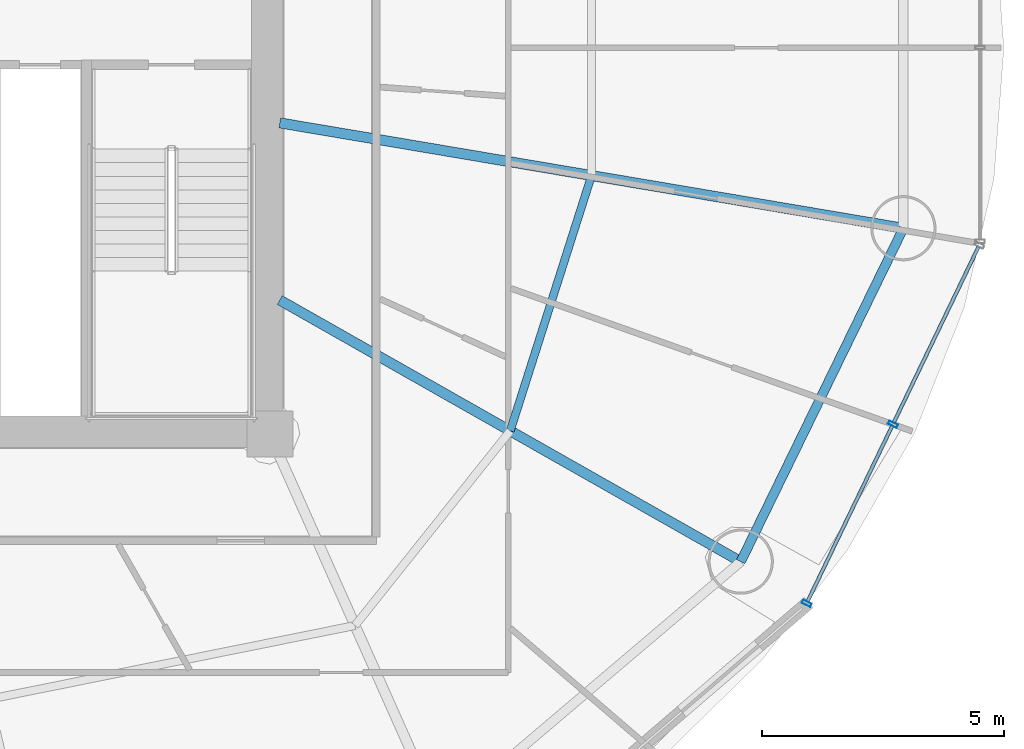
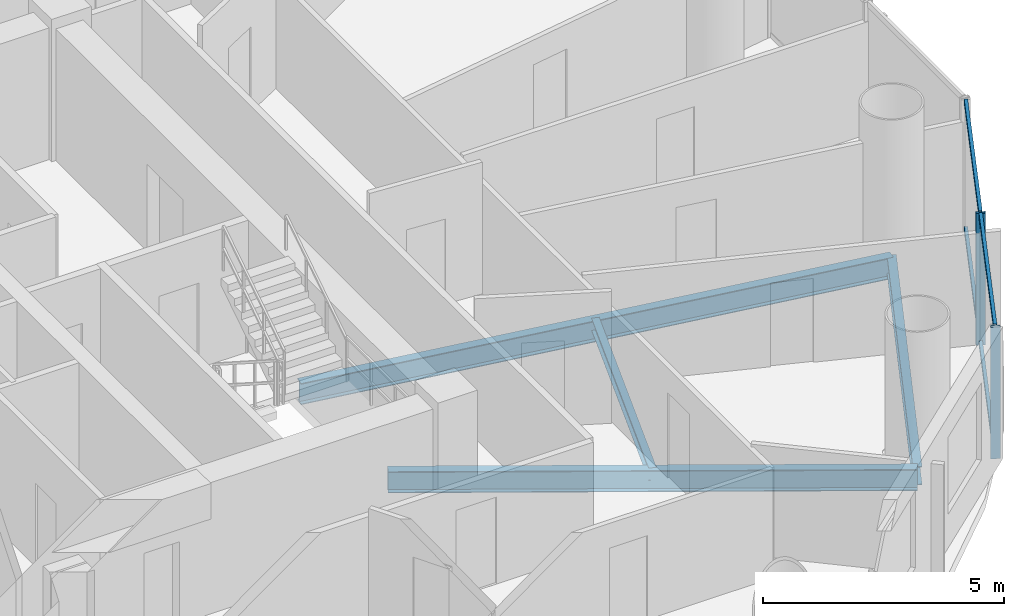
# One storey, part 10 of 26: 6 members, 4 beams, 1 element without a shape of its own.
"""IFC4 building model written with IfcOpenShell, lengths in metres."""

import ifcopenshell
import ifcopenshell.guid

model = None  # the IFC model being written
_history = None  # IfcOwnerHistory: only IFC2X3 demands one
_inside = {}  # id of a spatial element -> (the spatial element, [elements in it])
_under = {}  # id of a project, library or spatial element -> (it, [spatial elements below it])
_declared = {}  # id of a project -> (the project, [libraries it declares])
_typed = {}  # id of a type object -> (the type object, [elements of that type])
_made_of = {}  # id of a material, layer set ... -> (it, [elements and type objects made of it])


def new_model(schema):
    """Start an empty IFC model of exactly this schema.

    Asked for "IFC4X3", IfcOpenShell would pick the latest addendum, in which some entities
    have other attributes; the version numbers below select the first issue.
    IFC2X3 requires an IfcOwnerHistory on every rooted entity: one is made here for all.
    """
    global model, _history
    if schema == "IFC4X3":
        model = ifcopenshell.file(schema_version=(4, 3, 0, 0))
    else:
        model = ifcopenshell.file(schema=schema)
    _inside.clear()
    _under.clear()
    _declared.clear()
    _typed.clear()
    _made_of.clear()
    _history = None
    if model.schema == "IFC2X3":
        org = make("IfcOrganization", Name="unknown")
        user = make(
            "IfcPersonAndOrganization",
            ThePerson=make("IfcPerson", FamilyName="unknown"),
            TheOrganization=org,
        )
        app = make(
            "IfcApplication",
            ApplicationDeveloper=org,
            Version="unknown",
            ApplicationFullName="unknown",
            ApplicationIdentifier="unknown",
        )
        _history = make(
            "IfcOwnerHistory",
            OwningUser=user,
            OwningApplication=app,
            ChangeAction="ADDED",
            CreationDate=0,
        )
    return model


def make(cls, **values):
    """One entity of the class cls with the attributes given. An attribute that is None is left unset."""
    return model.create_entity(
        cls, **{name: value for name, value in values.items() if value is not None}
    )


def rooted(cls, **values):
    """An entity with a GlobalId (a new one), such as an element, a storey or a relation."""
    return make(cls, GlobalId=ifcopenshell.guid.new(), OwnerHistory=_history, **values)


def si_unit(unit_type, name, prefix=None):
    """IfcSIUnit, for example si_unit("LENGTHUNIT", "METRE", prefix="MILLI")."""
    return make("IfcSIUnit", UnitType=unit_type, Prefix=prefix, Name=name)


def assignment(units):
    """IfcUnitAssignment: the units of a project."""
    return None if units is None else make("IfcUnitAssignment", Units=units)


def point(xyz):
    """IfcCartesianPoint."""
    return None if xyz is None else make("IfcCartesianPoint", Coordinates=xyz)


def direction(xyz):
    """IfcDirection."""
    return None if xyz is None else make("IfcDirection", DirectionRatios=xyz)


def frame(location, z_axis=None, x_axis=None):
    """IfcAxis2Placement3D, a coordinate frame: its origin and axes. An axis left out is left unset."""
    return make(
        "IfcAxis2Placement3D",
        Location=point(location),
        Axis=direction(z_axis),
        RefDirection=direction(x_axis),
    )


def frame_2d(location, x_axis=None):
    """IfcAxis2Placement2D, a coordinate frame in the plane: its origin and x axis."""
    return make(
        "IfcAxis2Placement2D", Location=point(location), RefDirection=direction(x_axis)
    )


def origin():
    """The frame at (0, 0, 0) with its axes left unset."""
    return frame((0.0, 0.0, 0.0))


def origin_2d():
    """The frame at (0, 0) in the plane with its x axis left unset."""
    return frame_2d((0.0, 0.0))


def place(relative_to, where):
    """IfcLocalPlacement: puts the frame where relative to a parent placement (None: the world)."""
    return make(
        "IfcLocalPlacement", PlacementRelTo=relative_to, RelativePlacement=where
    )


def context(
    kind, dimensions, precision=None, world=None, true_north=None, identifier=None
):
    """IfcGeometricRepresentationContext, for example the 3D "Model" context."""
    return make(
        "IfcGeometricRepresentationContext",
        ContextIdentifier=identifier,
        ContextType=kind,
        CoordinateSpaceDimension=dimensions,
        Precision=precision,
        WorldCoordinateSystem=world,
        TrueNorth=true_north,
    )


def subcontext(parent, identifier, kind, view, scale=None):
    """IfcGeometricRepresentationSubContext, for example "Body" below "Model"."""
    return make(
        "IfcGeometricRepresentationSubContext",
        ContextIdentifier=identifier,
        ContextType=kind,
        ParentContext=parent,
        TargetScale=scale,
        TargetView=view,
    )


def project(units=None, contexts=None):
    """IfcProject with its units and contexts."""
    return rooted(
        "IfcProject",
        Name="project",
        RepresentationContexts=contexts,
        UnitsInContext=assignment(units),
    )


def spatial(cls, under=None, at=None, **own):
    """A site, building, storey or space (cls), placed at a placement, below another one or the project."""
    s = rooted(cls, ObjectPlacement=at, **own)
    if under is not None:
        _under.setdefault(under.id(), (under, []))[1].append(s)
    return s


def profile(cls, at=None, kind="AREA", **sizes):
    """A parametric profile (cls). Its sizes go by their IFC names, for example OverallWidth=200.0."""
    return make(cls, ProfileType=kind, Position=at, **sizes)


def hollow_rectangle(**sizes):
    """IfcRectangleHollowProfileDef."""
    return profile("IfcRectangleHollowProfileDef", **sizes)


def i_section(**sizes):
    """IfcIShapeProfileDef."""
    return profile("IfcIShapeProfileDef", **sizes)


def extrude(swept, where, along, depth):
    """IfcExtrudedAreaSolid: the profile swept, set in the frame where, extruded along a direction by depth."""
    return make(
        "IfcExtrudedAreaSolid",
        SweptArea=swept,
        Position=where,
        ExtrudedDirection=direction(along),
        Depth=depth,
    )


def shape(context_of_items, identifier, shape_type, items):
    """IfcShapeRepresentation: the items that make up one representation, for example the "Body"."""
    return make(
        "IfcShapeRepresentation",
        ContextOfItems=context_of_items,
        RepresentationIdentifier=identifier,
        RepresentationType=shape_type,
        Items=items,
    )


def source(mapping_origin, context_of_items, identifier, shape_type, items):
    """IfcRepresentationMap: a shape defined once, which mapped items show again and again."""
    return make(
        "IfcRepresentationMap",
        MappingOrigin=mapping_origin,
        MappedRepresentation=shape(context_of_items, identifier, shape_type, items),
    )


def transform(
    local_origin,
    x_axis=None,
    y_axis=None,
    z_axis=None,
    scale=None,
    scale2=None,
    scale3=None,
    uniform=True,
):
    """IfcCartesianTransformationOperator3D, or its non-uniform kind. x_axis, y_axis, z_axis: its Axis1, 2, 3."""
    if uniform:
        return make(
            "IfcCartesianTransformationOperator3D",
            Axis1=direction(x_axis),
            Axis2=direction(y_axis),
            LocalOrigin=point(local_origin),
            Scale=scale,
            Axis3=direction(z_axis),
        )
    return make(
        "IfcCartesianTransformationOperator3DnonUniform",
        Axis1=direction(x_axis),
        Axis2=direction(y_axis),
        LocalOrigin=point(local_origin),
        Scale=scale,
        Axis3=direction(z_axis),
        Scale2=scale2,
        Scale3=scale3,
    )


def mapped(mapping_source, mapping_target):
    """IfcMappedItem: shows the shape of a source again, moved by a transform."""
    return make(
        "IfcMappedItem", MappingSource=mapping_source, MappingTarget=mapping_target
    )


def material(Name=None, Category=None):
    """IfcMaterial."""
    return make("IfcMaterial", Name=Name, Category=Category)


def material_profile(
    of_material, cross_section, Name=None, Category=None, Priority=None
):
    """IfcMaterialProfile: a cross section and its material."""
    return make(
        "IfcMaterialProfile",
        Name=Name,
        Material=of_material,
        Profile=cross_section,
        Priority=Priority,
        Category=Category,
    )


def profile_set(profiles, Name=None, composite=None):
    """IfcMaterialProfileSet."""
    return make(
        "IfcMaterialProfileSet",
        Name=Name,
        MaterialProfiles=profiles,
        CompositeProfile=composite,
    )


def made_of(thing, what):
    """Note that an element or type object is made of a material, layer set ...; save() writes the relation."""
    if what is not None:
        _made_of.setdefault(what.id(), (what, []))[1].append(thing)
    return thing


def type_object(cls, material=None, **own):
    """A type object (cls), such as IfcWallType, which elements share."""
    return made_of(rooted(cls, **own), material)


def element(
    cls,
    number,
    at=None,
    inside=None,
    cuts=None,
    type_object=None,
    material=None,
    context=None,
    identifier="Body",
    shape_type=None,
    held_by="IfcProductDefinitionShape",
    body=None,
    shapes=None,
    **own,
):
    """One element of the class cls, such as IfcWall. Its Tag is "e" and its number.

    at: its placement. inside: the storey or other place that contains it. cuts: it is an
    opening in that element (IfcRelVoidsElement). A single representation is given by context,
    identifier, shape_type and body (its items); several are given by shapes. held_by: the class
    of the entity that holds the representations. save() writes the other relations.
    """
    e = rooted(cls, Tag="e%d" % number, ObjectPlacement=at, **own)
    if body is not None:
        shapes = [shape(context, identifier, shape_type, body)]
    if shapes is not None:
        e.Representation = make(held_by, Representations=shapes)
    if inside is not None:
        _inside.setdefault(inside.id(), (inside, []))[1].append(e)
    if cuts is not None:
        rooted(
            "IfcRelVoidsElement", RelatingBuildingElement=cuts, RelatedOpeningElement=e
        )
    if type_object is not None:
        _typed.setdefault(type_object.id(), (type_object, []))[1].append(e)
    return made_of(e, material)


def aggregate(whole, parts):
    """IfcRelAggregates: a whole, such as a stair, and the parts it consists of."""
    return rooted("IfcRelAggregates", RelatingObject=whole, RelatedObjects=parts)


def save(model, path):
    """Write the relations noted so far, then the file.

    IfcRelAggregates (storeys below a building ...), IfcRelContainedInSpatialStructure (elements
    in a storey), IfcRelDefinesByType, IfcRelAssociatesMaterial and IfcRelDeclares: one each for
    every whole, place, type object, material and project.
    """
    for whole, parts in _under.values():
        aggregate(whole, parts)
    for where, things in _inside.values():
        rooted(
            "IfcRelContainedInSpatialStructure",
            RelatedElements=things,
            RelatingStructure=where,
        )
    for kind, things in _typed.values():
        rooted("IfcRelDefinesByType", RelatedObjects=things, RelatingType=kind)
    for what, things in _made_of.values():
        rooted("IfcRelAssociatesMaterial", RelatedObjects=things, RelatingMaterial=what)
    for by, libraries in _declared.values():
        rooted("IfcRelDeclares", RelatingContext=by, RelatedDefinitions=libraries)
    model.write(path)


model = new_model("IFC4")

# Units and contexts
model_context = context("Model", 3, precision=1e-05, world=origin(), true_north=direction((-0.2419218956, 0.970295726276)))
body_context = subcontext(model_context, "Body", "Model", "MODEL_VIEW")
ifc_project = project(units=[si_unit("LENGTHUNIT", "METRE"), si_unit("AREAUNIT", "SQUARE_METRE"), si_unit("VOLUMEUNIT", "CUBIC_METRE"), si_unit("PLANEANGLEUNIT", "RADIAN"), si_unit("MASSUNIT", "GRAM", prefix="KILO")], contexts=[model_context])

# Site, building, storey
site_placement = place(None, origin())
site = spatial("IfcSite", under=ifc_project, at=site_placement, CompositionType="ELEMENT")
building_placement = place(site_placement, origin())
building = spatial("IfcBuilding", under=site, at=building_placement, Name="Cobrevalo Terracotta Tower", CompositionType="ELEMENT")
storey_placement = place(building_placement, frame((0.0, 0.0, 171.39990234375)))
storey = spatial("IfcBuildingStorey", under=building, at=storey_placement, Name="L45", CompositionType="ELEMENT", Elevation=171.39990234375)

# Beams
ifc_material_1 = material(Name="Steel S355", Category="steel")
ifc_material_profile_1 = material_profile(ifc_material_1, i_section(OverallWidth=0.2109375, OverallDepth=0.5390625, WebThickness=0.01171875, FlangeThickness=0.018798828125, at=origin_2d()), Name="W 530x109")
ifc_profile_set_1 = profile_set([ifc_material_profile_1], Name="Steel S355")
beam_type_1 = type_object("IfcBeamType", Name="Structural Beam W 530x109 (Steel S355)", PredefinedType="BEAM", material=ifc_profile_set_1)
beam_1_placement = place(storey_placement, frame((56.749755859375, 16.160888671875, -0.539306640625), z_axis=(-0.869743726706, 0.493503647257, 0.0), x_axis=(-0.493503647257, -0.869743726706, 0.0)))
element("IfcBeam", 1, at=beam_1_placement, inside=storey, type_object=beam_type_1, Name="L45 radial floor girder 15", PredefinedType="BEAM", context=body_context, shape_type="SweptSolid", body=[
    extrude(i_section(OverallWidth=0.2109375, OverallDepth=0.5390625, WebThickness=0.01171875, FlangeThickness=0.018798828125, at=origin_2d()), origin(), (0.0, 0.0, 1.0), 10.97412109375),
])
beam_2_placement = place(storey_placement, frame((60.11669921875, 23.06396484375, -0.539306640625), z_axis=(-0.986029732232, 0.166569406417, 0.0), x_axis=(-0.166569406417, -0.986029732232, 0.0)))
element("IfcBeam", 2, at=beam_2_placement, inside=storey, type_object=beam_type_1, Name="L45 radial floor girder 16", PredefinedType="BEAM", context=body_context, shape_type="SweptSolid", body=[
    extrude(i_section(OverallWidth=0.2109375, OverallDepth=0.5390625, WebThickness=0.01171875, FlangeThickness=0.018798828125, at=origin_2d()), origin(), (0.0, 0.0, 1.0), 13.094482421875),
])
ifc_material_profile_2 = material_profile(ifc_material_1, i_section(OverallWidth=0.1650390625, OverallDepth=0.31005859375, WebThickness=0.005859375, FlangeThickness=0.009765625, at=origin_2d()), Name="W 310x38.7")
ifc_profile_set_2 = profile_set([ifc_material_profile_2], Name="Steel S355")
beam_type_2 = type_object("IfcBeamType", Name="Structural Joist W 310x38.7 (Steel S355)", PredefinedType="JOIST", material=ifc_profile_set_2)
beam_3_placement = place(storey_placement, frame((51.977294921875, 18.868896484375, -0.4248046875), z_axis=(0.303497928386, 0.952832098255, 0.0), x_axis=(-0.952832098255, 0.303497928386, 0.0)))
element("IfcBeam", 3, at=beam_3_placement, inside=storey, type_object=beam_type_2, Name="L45 circumferential secondary floor joist 15", PredefinedType="JOIST", context=body_context, shape_type="SweptSolid", body=[
    extrude(i_section(OverallWidth=0.1650390625, OverallDepth=0.31005859375, WebThickness=0.005859375, FlangeThickness=0.009765625, at=origin_2d()), origin(), (0.0, 0.0, 1.0), 5.54736328125),
])
ifc_material_profile_3 = material_profile(ifc_material_1, i_section(OverallWidth=0.194091796875, OverallDepth=0.468994140625, WebThickness=0.011474609375, FlangeThickness=0.0205078125, at=origin_2d()), Name="W 460x106")
ifc_profile_set_3 = profile_set([ifc_material_profile_3], Name="Steel S355")
beam_type_3 = type_object("IfcBeamType", Name="Structural Spandrel W 460x106 (Steel S355)", PredefinedType="SPANDREL", material=ifc_profile_set_3)
beam_4_placement = place(storey_placement, frame((56.749755859375, 16.160888671875, -0.50439453125), z_axis=(0.438380418332, 0.898789524206, 0.0), x_axis=(-0.898789524206, 0.438380418332, 0.0)))
element("IfcBeam", 4, at=beam_4_placement, inside=storey, type_object=beam_type_3, Name="L45 perimeter ring spandrel 15", PredefinedType="SPANDREL", context=body_context, shape_type="SweptSolid", body=[
    extrude(i_section(OverallWidth=0.194091796875, OverallDepth=0.468994140625, WebThickness=0.011474609375, FlangeThickness=0.0205078125, at=origin_2d()), origin(), (0.0, 0.0, 1.0), 7.680419921875),
])

# Curtain wall, members
ifc_material_2 = material(Name="Anodized aluminium", Category="aluminium")
curtain_wall_type = type_object("IfcCurtainWallType", Name="Mid-tower high-wind unitised curtain wall CW-U2", PredefinedType="NOTDEFINED", material=ifc_material_2)
curtain_wall_placement = place(storey_placement, origin())
curtain_wall = element("IfcCurtainWall", 5, at=curtain_wall_placement, inside=storey, type_object=curtain_wall_type, Name="L45 curtain wall CW-L45-S15", PredefinedType="NOTDEFINED")
ifc_material_profile_4 = material_profile(ifc_material_2, hollow_rectangle(XDim=0.074951171875, YDim=0.199951171875, WallThickness=0.0048828125, at=origin_2d()), Name="CWM 75x200")
ifc_profile_set_4 = profile_set([ifc_material_profile_4], Name="Anodized aluminium")
member_type_1 = type_object("IfcMemberType", Name="Lower/mid tower unitised mullion 75x200", PredefinedType="MULLION", material=ifc_profile_set_4)
shared_shape_1 = source(origin(), body_context, "Body", "SweptSolid", [
    extrude(hollow_rectangle(XDim=0.074951171875, YDim=0.199951171875, WallThickness=0.0048828125, at=origin_2d()), origin(), (0.0, 0.0, 1.0), 3.330078125),
])
member_1_placement = place(storey_placement, frame((58.114013671875, 15.296875, 0.0), z_axis=(0.0, 0.0, 1.0), x_axis=(0.434209440271, 0.900811945957, 0.0)))
member_1 = element("IfcMember", 6, at=member_1_placement, type_object=member_type_1, Name="CW-L45-S15 vertical mullion 01", PredefinedType="MULLION", context=body_context, shape_type="MappedRepresentation", body=[
    mapped(shared_shape_1, transform((0.0, 0.0, 0.0), scale=1.0)),
])
member_2_placement = place(storey_placement, frame((59.901123046875, 19.00439453125, 0.0), z_axis=(0.0, 0.0, 1.0), x_axis=(0.434209440271, 0.900811945957, 0.0)))
member_2 = element("IfcMember", 7, at=member_2_placement, type_object=member_type_1, Name="CW-L45-S15 vertical mullion 02", PredefinedType="MULLION", context=body_context, shape_type="MappedRepresentation", body=[
    mapped(shared_shape_1, transform((0.0, 0.0, 0.0), scale=1.0)),
])
ifc_material_profile_5 = material_profile(ifc_material_2, hollow_rectangle(XDim=0.074951171875, YDim=0.14990234375, WallThickness=0.00439453125, at=origin_2d()), Name="CWT 75x150")
ifc_profile_set_5 = profile_set([ifc_material_profile_5], Name="Anodized aluminium")
member_type_2 = type_object("IfcMemberType", Name="Tower unitised aluminium transom 75x150", PredefinedType="USERDEFINED", material=ifc_profile_set_5)
shared_shape_2 = source(origin(), body_context, "Body", "SweptSolid", [
    extrude(hollow_rectangle(XDim=0.074951171875, YDim=0.14990234375, WallThickness=0.00439453125, at=origin_2d()), origin(), (0.0, 0.0, 1.0), 4.035888671875),
])
member_3_placement = place(storey_placement, frame((58.13134765625, 15.332763671875, 0.050048828125), z_axis=(0.434221176581, 0.900806288726, 0.0), x_axis=(-0.900806288726, 0.434221176581, 0.0)))
member_3 = element("IfcMember", 8, at=member_3_placement, type_object=member_type_2, Name="CW-L45-S15 transom B01-T1", ObjectType="TRANSOM", PredefinedType="USERDEFINED", context=body_context, shape_type="MappedRepresentation", body=[
    mapped(shared_shape_2, transform((0.0, 0.0, 0.0), scale=1.0)),
])
member_4_placement = place(storey_placement, frame((58.13134765625, 15.332763671875, 3.280029296875), z_axis=(0.434221176581, 0.900806288726, 0.0), x_axis=(-0.900806288726, 0.434221176581, 0.0)))
member_4 = element("IfcMember", 9, at=member_4_placement, type_object=member_type_2, Name="CW-L45-S15 transom B01-T2", ObjectType="TRANSOM", PredefinedType="USERDEFINED", context=body_context, shape_type="MappedRepresentation", body=[
    mapped(shared_shape_2, transform((0.0, 0.0, 0.0), scale=1.0)),
])
member_5_placement = place(storey_placement, frame((59.91845703125, 19.04052734375, 0.050048828125), z_axis=(0.434221176581, 0.900806288726, 0.0), x_axis=(-0.900806288726, 0.434221176581, 0.0)))
member_5 = element("IfcMember", 10, at=member_5_placement, type_object=member_type_2, Name="CW-L45-S15 transom B02-T1", ObjectType="TRANSOM", PredefinedType="USERDEFINED", context=body_context, shape_type="MappedRepresentation", body=[
    mapped(shared_shape_2, transform((0.0, 0.0, 0.0), scale=1.0)),
])
member_6_placement = place(storey_placement, frame((59.91845703125, 19.04052734375, 3.280029296875), z_axis=(0.434221176581, 0.900806288726, 0.0), x_axis=(-0.900806288726, 0.434221176581, 0.0)))
member_6 = element("IfcMember", 11, at=member_6_placement, type_object=member_type_2, Name="CW-L45-S15 transom B02-T2", ObjectType="TRANSOM", PredefinedType="USERDEFINED", context=body_context, shape_type="MappedRepresentation", body=[
    mapped(shared_shape_2, transform((0.0, 0.0, 0.0), scale=1.0)),
])
aggregate(curtain_wall, [member_1, member_2, member_3, member_4, member_5, member_6])

save(model, "model.ifc")
